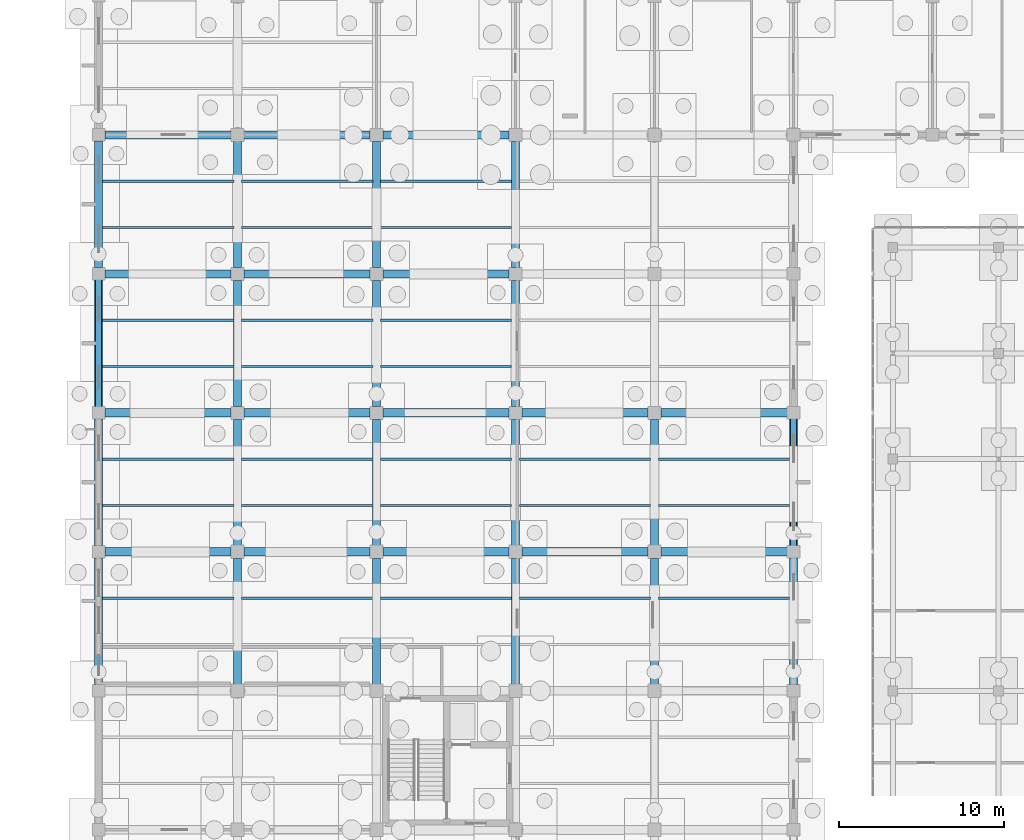
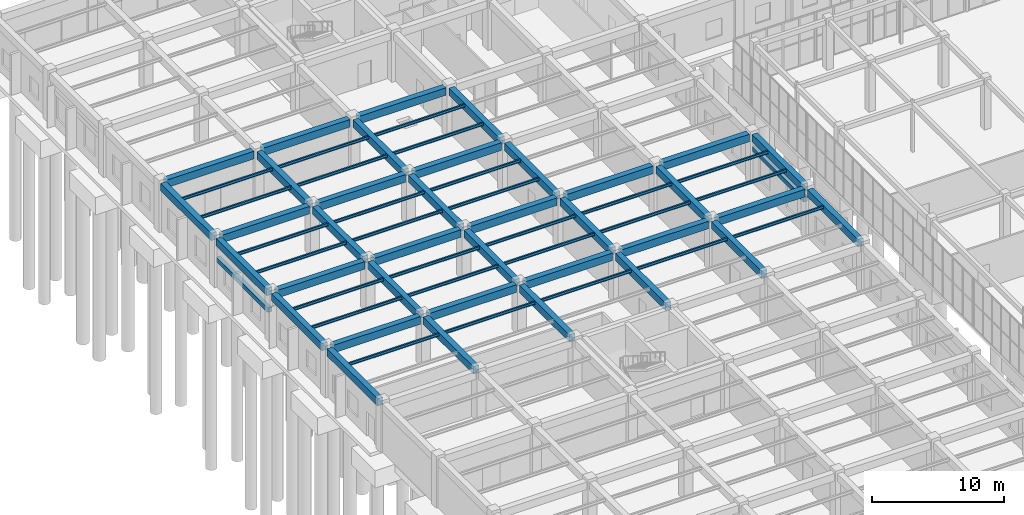
# One storey, part 81 of 192: 65 beams.
"""IFC4 building model written with IfcOpenShell, lengths in metres."""

from ifc_helpers import new_model, si_unit, direction, frame, origin, origin_2d, place, context, subcontext, project, spatial, rectangle, i_section, extrude, material, material_profile, profile_set, type_object, element, save


model = new_model("IFC4")

# Units and contexts
model_context = context("Model", 3, precision=1e-05, world=origin(), true_north=direction((0.0, 1.0)))
body_context = subcontext(model_context, "Body", "Model", "MODEL_VIEW")
ifc_project = project(units=[si_unit("LENGTHUNIT", "METRE"), si_unit("AREAUNIT", "SQUARE_METRE"), si_unit("VOLUMEUNIT", "CUBIC_METRE"), si_unit("PLANEANGLEUNIT", "RADIAN"), si_unit("MASSUNIT", "GRAM", prefix="KILO")], contexts=[model_context])

# Site, building, storey
site_placement = place(None, origin())
site = spatial("IfcSite", under=ifc_project, at=site_placement, CompositionType="ELEMENT")
building_placement = place(site_placement, origin())
building = spatial("IfcBuilding", under=site, at=building_placement, Name="Trelvath General Hospital", CompositionType="ELEMENT")
storey_placement = place(building_placement, origin())
storey = spatial("IfcBuildingStorey", under=building, at=storey_placement, Name="L00", CompositionType="ELEMENT", Elevation=0.0)

# Beams
ifc_material_1 = material(Name="Concrete C35/45", Category="concrete")
ifc_material_profile_1 = material_profile(ifc_material_1, rectangle(XDim=0.47998046875, YDim=0.679931640625, at=origin_2d()), Name="RCB480x680")
ifc_profile_set_1 = profile_set([ifc_material_profile_1], Name="Concrete C35/45")
beam_type_1 = type_object("IfcBeamType", Name="Beam RC480x680", PredefinedType="BEAM", material=ifc_profile_set_1)
beam_1_placement = place(storey_placement, frame((0.0, 59.175048828125, 4.179931640625), z_axis=(0.0, 1.0, 0.0), x_axis=(-1.0, 0.0, 0.0)))
element("IfcBeam", 1, at=beam_1_placement, inside=storey, type_object=beam_type_1, Name="Grid Beam BY-000H", PredefinedType="BEAM", context=body_context, shape_type="SweptSolid", body=[
    extrude(rectangle(XDim=0.47998046875, YDim=0.679931640625, at=origin_2d()), origin(), (0.0, 0.0, 1.0), 7.64990234375),
])
beam_2_placement = place(storey_placement, frame((0.0, 67.574951171875, 4.179931640625), z_axis=(0.0, 1.0, 0.0), x_axis=(-1.0, 0.0, 0.0)))
element("IfcBeam", 2, at=beam_2_placement, inside=storey, type_object=beam_type_1, Name="Grid Beam BY-000I", PredefinedType="BEAM", context=body_context, shape_type="SweptSolid", body=[
    extrude(rectangle(XDim=0.47998046875, YDim=0.679931640625, at=origin_2d()), origin(), (0.0, 0.0, 1.0), 7.650146484375),
])
for number, where, z_axis, x_axis, name in (
    (3, (0.0, 75.97509765625, 4.179931640625), (0.0, 1.0, 0.0), (-1.0, 0.0, 0.0), "Grid Beam BY-000J"),
    (4, (0.0, 84.375, 4.179931640625), (0.0, 1.0, 0.0), (-1.0, 0.0, 0.0), "Grid Beam BY-000K"),
):
    element("IfcBeam", number, at=place(storey_placement, frame(where, z_axis=z_axis, x_axis=x_axis)), inside=storey, type_object=beam_type_1, Name=name, PredefinedType="BEAM", context=body_context, shape_type="SweptSolid", body=[
        extrude(rectangle(XDim=0.47998046875, YDim=0.679931640625, at=origin_2d()), origin(), (0.0, 0.0, 1.0), 7.64990234375),
    ])
beam_3_placement = place(storey_placement, frame((8.39990234375, 59.195068359375, 4.179931640625), z_axis=(0.0, 1.0, 0.0), x_axis=(-1.0, 0.0, 0.0)))
element("IfcBeam", 5, at=beam_3_placement, inside=storey, type_object=beam_type_1, Name="Grid Beam BY-001H", PredefinedType="BEAM", context=body_context, shape_type="SweptSolid", body=[
    extrude(rectangle(XDim=0.47998046875, YDim=0.679931640625, at=origin_2d()), origin(), (0.0, 0.0, 1.0), 7.60986328125),
])
beam_4_placement = place(storey_placement, frame((8.39990234375, 67.594970703125, 4.179931640625), z_axis=(0.0, 1.0, 0.0), x_axis=(-1.0, 0.0, 0.0)))
element("IfcBeam", 6, at=beam_4_placement, inside=storey, type_object=beam_type_1, Name="Grid Beam BY-001I", PredefinedType="BEAM", context=body_context, shape_type="SweptSolid", body=[
    extrude(rectangle(XDim=0.47998046875, YDim=0.679931640625, at=origin_2d()), origin(), (0.0, 0.0, 1.0), 7.610107421875),
])
for number, where, z_axis, x_axis, name in (
    (7, (8.39990234375, 75.9951171875, 4.179931640625), (0.0, 1.0, 0.0), (-1.0, 0.0, 0.0), "Grid Beam BY-001J"),
    (8, (8.39990234375, 84.39501953125, 4.179931640625), (0.0, 1.0, 0.0), (-1.0, 0.0, 0.0), "Grid Beam BY-001K"),
    (9, (16.800048828125, 59.195068359375, 4.179931640625), (0.0, 1.0, 0.0), (-1.0, 0.0, 0.0), "Grid Beam BY-002H"),
):
    element("IfcBeam", number, at=place(storey_placement, frame(where, z_axis=z_axis, x_axis=x_axis)), inside=storey, type_object=beam_type_1, Name=name, PredefinedType="BEAM", context=body_context, shape_type="SweptSolid", body=[
        extrude(rectangle(XDim=0.47998046875, YDim=0.679931640625, at=origin_2d()), origin(), (0.0, 0.0, 1.0), 7.60986328125),
    ])
beam_5_placement = place(storey_placement, frame((16.800048828125, 67.594970703125, 4.179931640625), z_axis=(0.0, 1.0, 0.0), x_axis=(-1.0, 0.0, 0.0)))
element("IfcBeam", 10, at=beam_5_placement, inside=storey, type_object=beam_type_1, Name="Grid Beam BY-002I", PredefinedType="BEAM", context=body_context, shape_type="SweptSolid", body=[
    extrude(rectangle(XDim=0.47998046875, YDim=0.679931640625, at=origin_2d()), origin(), (0.0, 0.0, 1.0), 7.610107421875),
])
for number, where, z_axis, x_axis, name in (
    (11, (16.800048828125, 75.9951171875, 4.179931640625), (0.0, 1.0, 0.0), (-1.0, 0.0, 0.0), "Grid Beam BY-002J"),
    (12, (16.800048828125, 84.39501953125, 4.179931640625), (0.0, 1.0, 0.0), (-1.0, 0.0, 0.0), "Grid Beam BY-002K"),
    (13, (25.199951171875, 59.195068359375, 4.179931640625), (0.0, 1.0, 0.0), (-1.0, 0.0, 0.0), "Grid Beam BY-003H"),
):
    element("IfcBeam", number, at=place(storey_placement, frame(where, z_axis=z_axis, x_axis=x_axis)), inside=storey, type_object=beam_type_1, Name=name, PredefinedType="BEAM", context=body_context, shape_type="SweptSolid", body=[
        extrude(rectangle(XDim=0.47998046875, YDim=0.679931640625, at=origin_2d()), origin(), (0.0, 0.0, 1.0), 7.60986328125),
    ])
beam_6_placement = place(storey_placement, frame((25.199951171875, 67.594970703125, 4.179931640625), z_axis=(0.0, 1.0, 0.0), x_axis=(-1.0, 0.0, 0.0)))
element("IfcBeam", 14, at=beam_6_placement, inside=storey, type_object=beam_type_1, Name="Grid Beam BY-003I", PredefinedType="BEAM", context=body_context, shape_type="SweptSolid", body=[
    extrude(rectangle(XDim=0.47998046875, YDim=0.679931640625, at=origin_2d()), origin(), (0.0, 0.0, 1.0), 7.610107421875),
])
for number, where, z_axis, x_axis, name in (
    (15, (25.199951171875, 75.9951171875, 4.179931640625), (0.0, 1.0, 0.0), (-1.0, 0.0, 0.0), "Grid Beam BY-003J"),
    (16, (25.199951171875, 84.39501953125, 4.179931640625), (0.0, 1.0, 0.0), (-1.0, 0.0, 0.0), "Grid Beam BY-003K"),
    (17, (33.60009765625, 59.195068359375, 4.179931640625), (0.0, 1.0, 0.0), (-1.0, 0.0, 0.0), "Grid Beam BY-004H"),
):
    element("IfcBeam", number, at=place(storey_placement, frame(where, z_axis=z_axis, x_axis=x_axis)), inside=storey, type_object=beam_type_1, Name=name, PredefinedType="BEAM", context=body_context, shape_type="SweptSolid", body=[
        extrude(rectangle(XDim=0.47998046875, YDim=0.679931640625, at=origin_2d()), origin(), (0.0, 0.0, 1.0), 7.60986328125),
    ])
beam_7_placement = place(storey_placement, frame((33.60009765625, 67.594970703125, 4.179931640625), z_axis=(0.0, 1.0, 0.0), x_axis=(-1.0, 0.0, 0.0)))
element("IfcBeam", 18, at=beam_7_placement, inside=storey, type_object=beam_type_1, Name="Grid Beam BY-004I", PredefinedType="BEAM", context=body_context, shape_type="SweptSolid", body=[
    extrude(rectangle(XDim=0.47998046875, YDim=0.679931640625, at=origin_2d()), origin(), (0.0, 0.0, 1.0), 7.610107421875),
])
beam_8_placement = place(storey_placement, frame((42.0, 59.175048828125, 4.179931640625), z_axis=(0.0, 1.0, 0.0), x_axis=(-1.0, 0.0, 0.0)))
element("IfcBeam", 19, at=beam_8_placement, inside=storey, type_object=beam_type_1, Name="Grid Beam BY-005H", PredefinedType="BEAM", context=body_context, shape_type="SweptSolid", body=[
    extrude(rectangle(XDim=0.47998046875, YDim=0.679931640625, at=origin_2d()), origin(), (0.0, 0.0, 1.0), 7.64990234375),
])
beam_9_placement = place(storey_placement, frame((42.0, 67.574951171875, 4.179931640625), z_axis=(0.0, 1.0, 0.0), x_axis=(-1.0, 0.0, 0.0)))
element("IfcBeam", 20, at=beam_9_placement, inside=storey, type_object=beam_type_1, Name="Grid Beam BY-005I", PredefinedType="BEAM", context=body_context, shape_type="SweptSolid", body=[
    extrude(rectangle(XDim=0.47998046875, YDim=0.679931640625, at=origin_2d()), origin(), (0.0, 0.0, 1.0), 7.650146484375),
])
ifc_material_2 = material(Name="Concrete C35/45", Category="concrete")
ifc_material_profile_2 = material_profile(ifc_material_2, rectangle(XDim=0.5, YDim=0.699951171875, at=origin_2d()), Name="RCB500x700")
ifc_profile_set_2 = profile_set([ifc_material_profile_2], Name="Concrete C35/45")
beam_type_2 = type_object("IfcBeamType", Name="Beam RC500x700", PredefinedType="BEAM", material=ifc_profile_set_2)
for number, where, z_axis, x_axis, name in (
    (21, (0.375, 67.199951171875, 4.169921875), (1.0, 0.0, 0.0), (0.0, 1.0, 0.0), "Grid Beam BX-000I"),
    (22, (0.375, 75.60009765625, 4.169921875), (1.0, 0.0, 0.0), (0.0, 1.0, 0.0), "Grid Beam BX-000J"),
    (23, (0.375, 84.0, 4.169921875), (1.0, 0.0, 0.0), (0.0, 1.0, 0.0), "Grid Beam BX-000K"),
    (24, (0.375, 92.39990234375, 4.169921875), (1.0, 0.0, 0.0), (0.0, 1.0, 0.0), "Grid Beam BX-000L"),
):
    element("IfcBeam", number, at=place(storey_placement, frame(where, z_axis=z_axis, x_axis=x_axis)), inside=storey, type_object=beam_type_2, Name=name, PredefinedType="BEAM", context=body_context, shape_type="SweptSolid", body=[
        extrude(rectangle(XDim=0.5, YDim=0.699951171875, at=origin_2d()), origin(), (0.0, 0.0, 1.0), 7.6298828125),
    ])
for number, where, z_axis, x_axis, name in (
    (25, (8.794921875, 67.199951171875, 4.169921875), (1.0, 0.0, 0.0), (0.0, 1.0, 0.0), "Grid Beam BX-001I"),
    (26, (8.794921875, 75.60009765625, 4.169921875), (1.0, 0.0, 0.0), (0.0, 1.0, 0.0), "Grid Beam BX-001J"),
    (27, (8.794921875, 84.0, 4.169921875), (1.0, 0.0, 0.0), (0.0, 1.0, 0.0), "Grid Beam BX-001K"),
    (28, (8.794921875, 92.39990234375, 4.169921875), (1.0, 0.0, 0.0), (0.0, 1.0, 0.0), "Grid Beam BX-001L"),
):
    element("IfcBeam", number, at=place(storey_placement, frame(where, z_axis=z_axis, x_axis=x_axis)), inside=storey, type_object=beam_type_2, Name=name, PredefinedType="BEAM", context=body_context, shape_type="SweptSolid", body=[
        extrude(rectangle(XDim=0.5, YDim=0.699951171875, at=origin_2d()), origin(), (0.0, 0.0, 1.0), 7.610107421875),
    ])
for number, where, z_axis, x_axis, name in (
    (29, (17.195068359375, 67.199951171875, 4.169921875), (1.0, 0.0, 0.0), (0.0, 1.0, 0.0), "Grid Beam BX-002I"),
    (30, (17.195068359375, 75.60009765625, 4.169921875), (1.0, 0.0, 0.0), (0.0, 1.0, 0.0), "Grid Beam BX-002J"),
    (31, (17.195068359375, 84.0, 4.169921875), (1.0, 0.0, 0.0), (0.0, 1.0, 0.0), "Grid Beam BX-002K"),
    (32, (17.195068359375, 92.39990234375, 4.169921875), (1.0, 0.0, 0.0), (0.0, 1.0, 0.0), "Grid Beam BX-002L"),
):
    element("IfcBeam", number, at=place(storey_placement, frame(where, z_axis=z_axis, x_axis=x_axis)), inside=storey, type_object=beam_type_2, Name=name, PredefinedType="BEAM", context=body_context, shape_type="SweptSolid", body=[
        extrude(rectangle(XDim=0.5, YDim=0.699951171875, at=origin_2d()), origin(), (0.0, 0.0, 1.0), 7.60986328125),
    ])
for number, where, z_axis, x_axis, name in (
    (33, (25.594970703125, 67.199951171875, 4.169921875), (1.0, 0.0, 0.0), (0.0, 1.0, 0.0), "Grid Beam BX-003I"),
    (34, (25.594970703125, 75.60009765625, 4.169921875), (1.0, 0.0, 0.0), (0.0, 1.0, 0.0), "Grid Beam BX-003J"),
):
    element("IfcBeam", number, at=place(storey_placement, frame(where, z_axis=z_axis, x_axis=x_axis)), inside=storey, type_object=beam_type_2, Name=name, PredefinedType="BEAM", context=body_context, shape_type="SweptSolid", body=[
        extrude(rectangle(XDim=0.5, YDim=0.699951171875, at=origin_2d()), origin(), (0.0, 0.0, 1.0), 7.610107421875),
    ])
for number, where, z_axis, x_axis, name in (
    (35, (33.9951171875, 67.199951171875, 4.169921875), (1.0, 0.0, 0.0), (0.0, 1.0, 0.0), "Grid Beam BX-004I"),
    (36, (33.9951171875, 75.60009765625, 4.169921875), (1.0, 0.0, 0.0), (0.0, 1.0, 0.0), "Grid Beam BX-004J"),
):
    element("IfcBeam", number, at=place(storey_placement, frame(where, z_axis=z_axis, x_axis=x_axis)), inside=storey, type_object=beam_type_2, Name=name, PredefinedType="BEAM", context=body_context, shape_type="SweptSolid", body=[
        extrude(rectangle(XDim=0.5, YDim=0.699951171875, at=origin_2d()), origin(), (0.0, 0.0, 1.0), 7.6298828125),
    ])
ifc_material_3 = material(Name="Steel S355", Category="steel")
ifc_material_profile_3 = material_profile(ifc_material_3, i_section(OverallWidth=0.135009765625, OverallDepth=0.27001953125, WebThickness=0.006591796875, FlangeThickness=0.01025390625, at=origin_2d()), Name="IPE270")
ifc_profile_set_3 = profile_set([ifc_material_profile_3], Name="Steel S355")
beam_type_3 = type_object("IfcBeamType", Name="InterstitialJoist IPE270", PredefinedType="JOIST", material=ifc_profile_set_3)
for number, where, z_axis, x_axis, name in (
    (37, (0.22998046875, 64.39990234375, 4.385009765625), (1.0, 0.0, 0.0), (0.0, 1.0, 0.0), "Interstitial Deck Joist IJ-1-016"),
    (38, (0.22998046875, 70.0, 4.385009765625), (1.0, 0.0, 0.0), (0.0, 1.0, 0.0), "Interstitial Deck Joist IJ-1-017"),
    (39, (0.22998046875, 72.800048828125, 4.385009765625), (1.0, 0.0, 0.0), (0.0, 1.0, 0.0), "Interstitial Deck Joist IJ-1-018"),
    (40, (0.22998046875, 78.39990234375, 4.385009765625), (1.0, 0.0, 0.0), (0.0, 1.0, 0.0), "Interstitial Deck Joist IJ-1-019"),
    (41, (0.22998046875, 81.199951171875, 4.385009765625), (1.0, 0.0, 0.0), (0.0, 1.0, 0.0), "Interstitial Deck Joist IJ-1-020"),
    (42, (0.22998046875, 86.800048828125, 4.385009765625), (1.0, 0.0, 0.0), (0.0, 1.0, 0.0), "Interstitial Deck Joist IJ-1-021"),
    (43, (0.22998046875, 89.60009765625, 4.385009765625), (1.0, 0.0, 0.0), (0.0, 1.0, 0.0), "Interstitial Deck Joist IJ-1-022"),
):
    element("IfcBeam", number, at=place(storey_placement, frame(where, z_axis=z_axis, x_axis=x_axis)), inside=storey, type_object=beam_type_3, Name=name, PredefinedType="JOIST", context=body_context, shape_type="SweptSolid", body=[
        extrude(i_section(OverallWidth=0.135009765625, OverallDepth=0.27001953125, WebThickness=0.006591796875, FlangeThickness=0.01025390625, at=origin_2d()), origin(), (0.0, 0.0, 1.0), 7.93994140625),
    ])
for number, where, z_axis, x_axis, name in (
    (44, (8.6298828125, 64.39990234375, 4.385009765625), (1.0, 0.0, 0.0), (0.0, 1.0, 0.0), "Interstitial Deck Joist IJ-1-044"),
    (45, (8.6298828125, 70.0, 4.385009765625), (1.0, 0.0, 0.0), (0.0, 1.0, 0.0), "Interstitial Deck Joist IJ-1-045"),
    (46, (8.6298828125, 72.800048828125, 4.385009765625), (1.0, 0.0, 0.0), (0.0, 1.0, 0.0), "Interstitial Deck Joist IJ-1-046"),
    (47, (8.6298828125, 78.39990234375, 4.385009765625), (1.0, 0.0, 0.0), (0.0, 1.0, 0.0), "Interstitial Deck Joist IJ-1-047"),
    (48, (8.6298828125, 81.199951171875, 4.385009765625), (1.0, 0.0, 0.0), (0.0, 1.0, 0.0), "Interstitial Deck Joist IJ-1-048"),
    (49, (8.6298828125, 86.800048828125, 4.385009765625), (1.0, 0.0, 0.0), (0.0, 1.0, 0.0), "Interstitial Deck Joist IJ-1-049"),
    (50, (8.6298828125, 89.60009765625, 4.385009765625), (1.0, 0.0, 0.0), (0.0, 1.0, 0.0), "Interstitial Deck Joist IJ-1-050"),
):
    element("IfcBeam", number, at=place(storey_placement, frame(where, z_axis=z_axis, x_axis=x_axis)), inside=storey, type_object=beam_type_3, Name=name, PredefinedType="JOIST", context=body_context, shape_type="SweptSolid", body=[
        extrude(i_section(OverallWidth=0.135009765625, OverallDepth=0.27001953125, WebThickness=0.006591796875, FlangeThickness=0.01025390625, at=origin_2d()), origin(), (0.0, 0.0, 1.0), 7.940185546875),
    ])
for number, where, z_axis, x_axis, name in (
    (51, (17.030029296875, 64.39990234375, 4.385009765625), (1.0, 0.0, 0.0), (0.0, 1.0, 0.0), "Interstitial Deck Joist IJ-1-064"),
    (52, (17.030029296875, 70.0, 4.385009765625), (1.0, 0.0, 0.0), (0.0, 1.0, 0.0), "Interstitial Deck Joist IJ-1-065"),
    (53, (17.030029296875, 72.800048828125, 4.385009765625), (1.0, 0.0, 0.0), (0.0, 1.0, 0.0), "Interstitial Deck Joist IJ-1-066"),
    (54, (17.030029296875, 78.39990234375, 4.385009765625), (1.0, 0.0, 0.0), (0.0, 1.0, 0.0), "Interstitial Deck Joist IJ-1-067"),
    (55, (17.030029296875, 81.199951171875, 4.385009765625), (1.0, 0.0, 0.0), (0.0, 1.0, 0.0), "Interstitial Deck Joist IJ-1-068"),
    (56, (17.030029296875, 86.800048828125, 4.385009765625), (1.0, 0.0, 0.0), (0.0, 1.0, 0.0), "Interstitial Deck Joist IJ-1-069"),
    (57, (17.030029296875, 89.60009765625, 4.385009765625), (1.0, 0.0, 0.0), (0.0, 1.0, 0.0), "Interstitial Deck Joist IJ-1-070"),
):
    element("IfcBeam", number, at=place(storey_placement, frame(where, z_axis=z_axis, x_axis=x_axis)), inside=storey, type_object=beam_type_3, Name=name, PredefinedType="JOIST", context=body_context, shape_type="SweptSolid", body=[
        extrude(i_section(OverallWidth=0.135009765625, OverallDepth=0.27001953125, WebThickness=0.006591796875, FlangeThickness=0.01025390625, at=origin_2d()), origin(), (0.0, 0.0, 1.0), 7.93994140625),
    ])
for number, where, z_axis, x_axis, name in (
    (58, (25.429931640625, 64.39990234375, 4.385009765625), (1.0, 0.0, 0.0), (0.0, 1.0, 0.0), "Interstitial Deck Joist IJ-1-080"),
    (59, (25.429931640625, 70.0, 4.385009765625), (1.0, 0.0, 0.0), (0.0, 1.0, 0.0), "Interstitial Deck Joist IJ-1-081"),
    (60, (25.429931640625, 72.800048828125, 4.385009765625), (1.0, 0.0, 0.0), (0.0, 1.0, 0.0), "Interstitial Deck Joist IJ-1-082"),
):
    element("IfcBeam", number, at=place(storey_placement, frame(where, z_axis=z_axis, x_axis=x_axis)), inside=storey, type_object=beam_type_3, Name=name, PredefinedType="JOIST", context=body_context, shape_type="SweptSolid", body=[
        extrude(i_section(OverallWidth=0.135009765625, OverallDepth=0.27001953125, WebThickness=0.006591796875, FlangeThickness=0.01025390625, at=origin_2d()), origin(), (0.0, 0.0, 1.0), 7.940185546875),
    ])
for number, where, z_axis, x_axis, name in (
    (61, (33.830078125, 64.39990234375, 4.385009765625), (1.0, 0.0, 0.0), (0.0, 1.0, 0.0), "Interstitial Deck Joist IJ-1-096"),
    (62, (33.830078125, 70.0, 4.385009765625), (1.0, 0.0, 0.0), (0.0, 1.0, 0.0), "Interstitial Deck Joist IJ-1-097"),
    (63, (33.830078125, 72.800048828125, 4.385009765625), (1.0, 0.0, 0.0), (0.0, 1.0, 0.0), "Interstitial Deck Joist IJ-1-098"),
):
    element("IfcBeam", number, at=place(storey_placement, frame(where, z_axis=z_axis, x_axis=x_axis)), inside=storey, type_object=beam_type_3, Name=name, PredefinedType="JOIST", context=body_context, shape_type="SweptSolid", body=[
        extrude(i_section(OverallWidth=0.135009765625, OverallDepth=0.27001953125, WebThickness=0.006591796875, FlangeThickness=0.01025390625, at=origin_2d()), origin(), (0.0, 0.0, 1.0), 7.93994140625),
    ])
ifc_material_4 = material(Name="Precast concrete C40/50", Category="concrete")
ifc_material_profile_4 = material_profile(ifc_material_4, rectangle(XDim=0.35009765625, YDim=0.419921875, at=origin_2d()), Name="PCL350x420")
ifc_profile_set_4 = profile_set([ifc_material_profile_4], Name="Precast concrete C40/50")
beam_type_4 = type_object("IfcBeamType", Name="Lintel PC350x420", PredefinedType="LINTEL", material=ifc_profile_set_4)
beam_10_placement = place(storey_placement, frame((0.0, 75.89501953125, 2.52001953125), z_axis=(0.0, 1.0, 0.0), x_axis=(-1.0, 0.0, 0.0)))
element("IfcBeam", 64, at=beam_10_placement, inside=storey, type_object=beam_type_4, Name="Precast Window Brow Lintel L00-11", PredefinedType="LINTEL", context=body_context, shape_type="SweptSolid", body=[
    extrude(rectangle(XDim=0.35009765625, YDim=0.419921875, at=origin_2d()), origin(), (0.0, 0.0, 1.0), 7.81005859375),
])
beam_11_placement = place(storey_placement, frame((42.0, 75.304931640625, 3.1201171875), z_axis=(0.0, -1.0, 0.0), x_axis=(1.0, 0.0, 0.0)))
element("IfcBeam", 65, at=beam_11_placement, inside=storey, type_object=beam_type_4, Name="Precast Window Brow Lintel L00-29", PredefinedType="LINTEL", context=body_context, shape_type="SweptSolid", body=[
    extrude(rectangle(XDim=0.35009765625, YDim=0.419921875, at=origin_2d()), origin(), (0.0, 0.0, 1.0), 7.809814453125),
])

save(model, "model.ifc")
